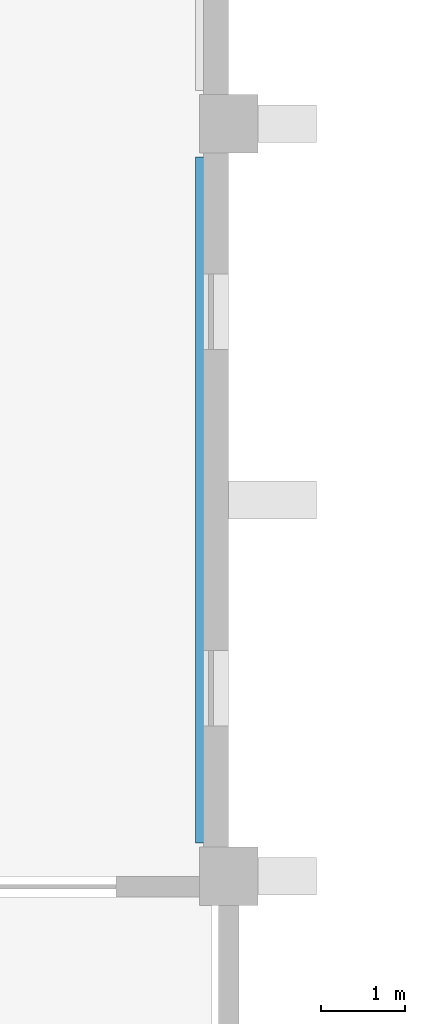
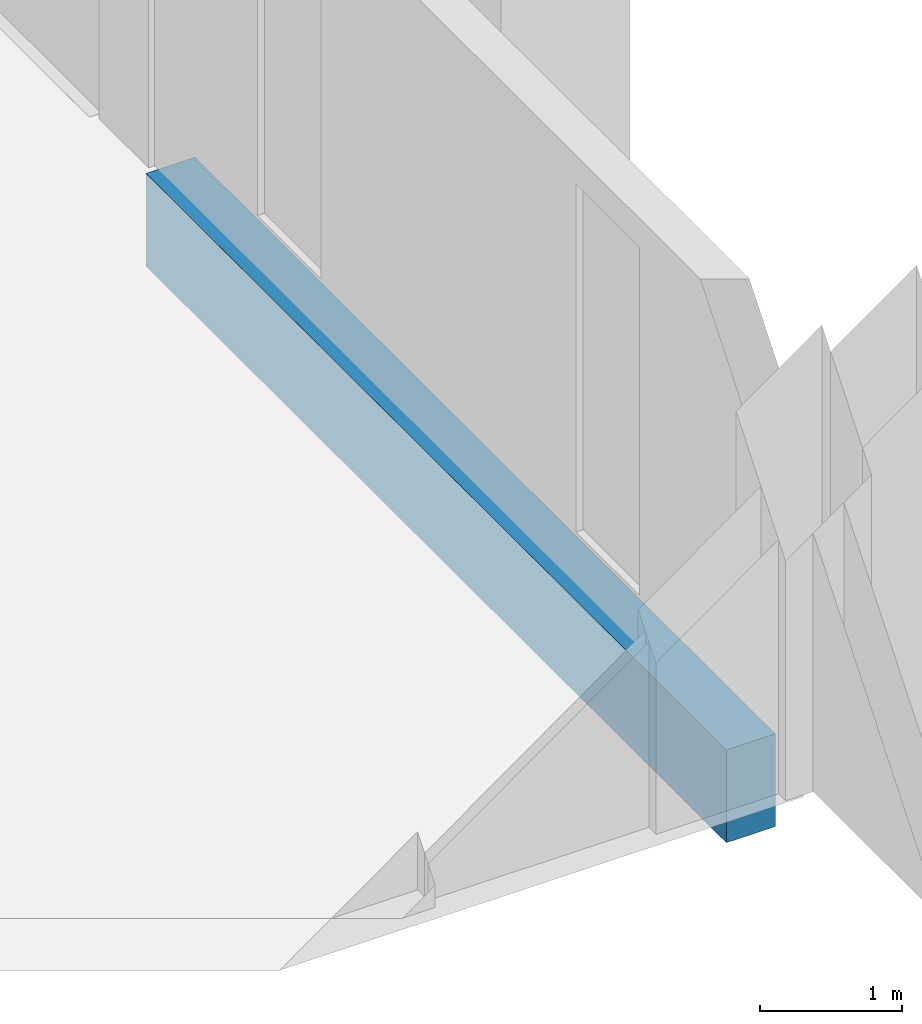
# One storey, part 7 of 45: 1 beam.
"""IFC4 building model written with IfcOpenShell, lengths in metres."""

import ifcopenshell
import ifcopenshell.guid

model = None  # the IFC model being written
_history = None  # IfcOwnerHistory: only IFC2X3 demands one
_inside = {}  # id of a spatial element -> (the spatial element, [elements in it])
_under = {}  # id of a project, library or spatial element -> (it, [spatial elements below it])
_declared = {}  # id of a project -> (the project, [libraries it declares])
_typed = {}  # id of a type object -> (the type object, [elements of that type])
_made_of = {}  # id of a material, layer set ... -> (it, [elements and type objects made of it])


def new_model(schema):
    """Start an empty IFC model of exactly this schema.

    Asked for "IFC4X3", IfcOpenShell would pick the latest addendum, in which some entities
    have other attributes; the version numbers below select the first issue.
    IFC2X3 requires an IfcOwnerHistory on every rooted entity: one is made here for all.
    """
    global model, _history
    if schema == "IFC4X3":
        model = ifcopenshell.file(schema_version=(4, 3, 0, 0))
    else:
        model = ifcopenshell.file(schema=schema)
    _inside.clear()
    _under.clear()
    _declared.clear()
    _typed.clear()
    _made_of.clear()
    _history = None
    if model.schema == "IFC2X3":
        org = make("IfcOrganization", Name="unknown")
        user = make(
            "IfcPersonAndOrganization",
            ThePerson=make("IfcPerson", FamilyName="unknown"),
            TheOrganization=org,
        )
        app = make(
            "IfcApplication",
            ApplicationDeveloper=org,
            Version="unknown",
            ApplicationFullName="unknown",
            ApplicationIdentifier="unknown",
        )
        _history = make(
            "IfcOwnerHistory",
            OwningUser=user,
            OwningApplication=app,
            ChangeAction="ADDED",
            CreationDate=0,
        )
    return model


def make(cls, **values):
    """One entity of the class cls with the attributes given. An attribute that is None is left unset."""
    return model.create_entity(
        cls, **{name: value for name, value in values.items() if value is not None}
    )


def rooted(cls, **values):
    """An entity with a GlobalId (a new one), such as an element, a storey or a relation."""
    return make(cls, GlobalId=ifcopenshell.guid.new(), OwnerHistory=_history, **values)


def si_unit(unit_type, name, prefix=None):
    """IfcSIUnit, for example si_unit("LENGTHUNIT", "METRE", prefix="MILLI")."""
    return make("IfcSIUnit", UnitType=unit_type, Prefix=prefix, Name=name)


def assignment(units):
    """IfcUnitAssignment: the units of a project."""
    return None if units is None else make("IfcUnitAssignment", Units=units)


def point(xyz):
    """IfcCartesianPoint."""
    return None if xyz is None else make("IfcCartesianPoint", Coordinates=xyz)


def direction(xyz):
    """IfcDirection."""
    return None if xyz is None else make("IfcDirection", DirectionRatios=xyz)


def frame(location, z_axis=None, x_axis=None):
    """IfcAxis2Placement3D, a coordinate frame: its origin and axes. An axis left out is left unset."""
    return make(
        "IfcAxis2Placement3D",
        Location=point(location),
        Axis=direction(z_axis),
        RefDirection=direction(x_axis),
    )


def frame_2d(location, x_axis=None):
    """IfcAxis2Placement2D, a coordinate frame in the plane: its origin and x axis."""
    return make(
        "IfcAxis2Placement2D", Location=point(location), RefDirection=direction(x_axis)
    )


def origin():
    """The frame at (0, 0, 0) with its axes left unset."""
    return frame((0.0, 0.0, 0.0))


def origin_2d():
    """The frame at (0, 0) in the plane with its x axis left unset."""
    return frame_2d((0.0, 0.0))


def place(relative_to, where):
    """IfcLocalPlacement: puts the frame where relative to a parent placement (None: the world)."""
    return make(
        "IfcLocalPlacement", PlacementRelTo=relative_to, RelativePlacement=where
    )


def context(
    kind, dimensions, precision=None, world=None, true_north=None, identifier=None
):
    """IfcGeometricRepresentationContext, for example the 3D "Model" context."""
    return make(
        "IfcGeometricRepresentationContext",
        ContextIdentifier=identifier,
        ContextType=kind,
        CoordinateSpaceDimension=dimensions,
        Precision=precision,
        WorldCoordinateSystem=world,
        TrueNorth=true_north,
    )


def subcontext(parent, identifier, kind, view, scale=None):
    """IfcGeometricRepresentationSubContext, for example "Body" below "Model"."""
    return make(
        "IfcGeometricRepresentationSubContext",
        ContextIdentifier=identifier,
        ContextType=kind,
        ParentContext=parent,
        TargetScale=scale,
        TargetView=view,
    )


def project(units=None, contexts=None):
    """IfcProject with its units and contexts."""
    return rooted(
        "IfcProject",
        Name="project",
        RepresentationContexts=contexts,
        UnitsInContext=assignment(units),
    )


def spatial(cls, under=None, at=None, **own):
    """A site, building, storey or space (cls), placed at a placement, below another one or the project."""
    s = rooted(cls, ObjectPlacement=at, **own)
    if under is not None:
        _under.setdefault(under.id(), (under, []))[1].append(s)
    return s


def profile(cls, at=None, kind="AREA", **sizes):
    """A parametric profile (cls). Its sizes go by their IFC names, for example OverallWidth=200.0."""
    return make(cls, ProfileType=kind, Position=at, **sizes)


def rectangle(**sizes):
    """IfcRectangleProfileDef."""
    return profile("IfcRectangleProfileDef", **sizes)


def extrude(swept, where, along, depth):
    """IfcExtrudedAreaSolid: the profile swept, set in the frame where, extruded along a direction by depth."""
    return make(
        "IfcExtrudedAreaSolid",
        SweptArea=swept,
        Position=where,
        ExtrudedDirection=direction(along),
        Depth=depth,
    )


def shape(context_of_items, identifier, shape_type, items):
    """IfcShapeRepresentation: the items that make up one representation, for example the "Body"."""
    return make(
        "IfcShapeRepresentation",
        ContextOfItems=context_of_items,
        RepresentationIdentifier=identifier,
        RepresentationType=shape_type,
        Items=items,
    )


def material(Name=None, Category=None):
    """IfcMaterial."""
    return make("IfcMaterial", Name=Name, Category=Category)


def material_profile(
    of_material, cross_section, Name=None, Category=None, Priority=None
):
    """IfcMaterialProfile: a cross section and its material."""
    return make(
        "IfcMaterialProfile",
        Name=Name,
        Material=of_material,
        Profile=cross_section,
        Priority=Priority,
        Category=Category,
    )


def profile_set(profiles, Name=None, composite=None):
    """IfcMaterialProfileSet."""
    return make(
        "IfcMaterialProfileSet",
        Name=Name,
        MaterialProfiles=profiles,
        CompositeProfile=composite,
    )


def made_of(thing, what):
    """Note that an element or type object is made of a material, layer set ...; save() writes the relation."""
    if what is not None:
        _made_of.setdefault(what.id(), (what, []))[1].append(thing)
    return thing


def type_object(cls, material=None, **own):
    """A type object (cls), such as IfcWallType, which elements share."""
    return made_of(rooted(cls, **own), material)


def element(
    cls,
    number,
    at=None,
    inside=None,
    cuts=None,
    type_object=None,
    material=None,
    context=None,
    identifier="Body",
    shape_type=None,
    held_by="IfcProductDefinitionShape",
    body=None,
    shapes=None,
    **own,
):
    """One element of the class cls, such as IfcWall. Its Tag is "e" and its number.

    at: its placement. inside: the storey or other place that contains it. cuts: it is an
    opening in that element (IfcRelVoidsElement). A single representation is given by context,
    identifier, shape_type and body (its items); several are given by shapes. held_by: the class
    of the entity that holds the representations. save() writes the other relations.
    """
    e = rooted(cls, Tag="e%d" % number, ObjectPlacement=at, **own)
    if body is not None:
        shapes = [shape(context, identifier, shape_type, body)]
    if shapes is not None:
        e.Representation = make(held_by, Representations=shapes)
    if inside is not None:
        _inside.setdefault(inside.id(), (inside, []))[1].append(e)
    if cuts is not None:
        rooted(
            "IfcRelVoidsElement", RelatingBuildingElement=cuts, RelatedOpeningElement=e
        )
    if type_object is not None:
        _typed.setdefault(type_object.id(), (type_object, []))[1].append(e)
    return made_of(e, material)


def aggregate(whole, parts):
    """IfcRelAggregates: a whole, such as a stair, and the parts it consists of."""
    return rooted("IfcRelAggregates", RelatingObject=whole, RelatedObjects=parts)


def save(model, path):
    """Write the relations noted so far, then the file.

    IfcRelAggregates (storeys below a building ...), IfcRelContainedInSpatialStructure (elements
    in a storey), IfcRelDefinesByType, IfcRelAssociatesMaterial and IfcRelDeclares: one each for
    every whole, place, type object, material and project.
    """
    for whole, parts in _under.values():
        aggregate(whole, parts)
    for where, things in _inside.values():
        rooted(
            "IfcRelContainedInSpatialStructure",
            RelatedElements=things,
            RelatingStructure=where,
        )
    for kind, things in _typed.values():
        rooted("IfcRelDefinesByType", RelatedObjects=things, RelatingType=kind)
    for what, things in _made_of.values():
        rooted("IfcRelAssociatesMaterial", RelatedObjects=things, RelatingMaterial=what)
    for by, libraries in _declared.values():
        rooted("IfcRelDeclares", RelatingContext=by, RelatedDefinitions=libraries)
    model.write(path)


model = new_model("IFC4")

# Units and contexts
model_context = context("Model", 3, precision=1e-05, world=origin(), true_north=direction((0.0, 1.0)))
body_context = subcontext(model_context, "Body", "Model", "MODEL_VIEW")
ifc_project = project(units=[si_unit("LENGTHUNIT", "METRE"), si_unit("AREAUNIT", "SQUARE_METRE"), si_unit("VOLUMEUNIT", "CUBIC_METRE"), si_unit("PLANEANGLEUNIT", "RADIAN"), si_unit("MASSUNIT", "GRAM", prefix="KILO")], contexts=[model_context])

# Site, building, storey
site_placement = place(None, origin())
site = spatial("IfcSite", under=ifc_project, at=site_placement, CompositionType="ELEMENT")
building_placement = place(site_placement, origin())
building = spatial("IfcBuilding", under=site, at=building_placement, Name="Guidao Yard Department Store", CompositionType="ELEMENT")
storey_placement = place(building_placement, frame((0.0, 0.0, 19.5)))
storey = spatial("IfcBuildingStorey", under=building, at=storey_placement, Name="L04", CompositionType="ELEMENT", Elevation=19.5)

# Beam
ifc_material = material(Name="Concrete C40", Category="concrete")
ifc_material_profile = material_profile(ifc_material, rectangle(XDim=0.39990234375, YDim=0.800048828125, at=origin_2d()), Name="Spandrel beam 400 x 800 C40")
ifc_profile_set = profile_set([ifc_material_profile], Name="Concrete C40")
beam_type = type_object("IfcBeamType", Name="Spandrel beam 400 x 800 C40", PredefinedType="SPANDREL", material=ifc_profile_set)
beam_placement = place(storey_placement, frame((62.800048828125, 54.39990234375, -0.39990234375), z_axis=(0.0, 1.0, 0.0), x_axis=(-1.0, 0.0, 0.0)))
element("IfcBeam", 1, at=beam_placement, inside=storey, type_object=beam_type, Name="Beam EB14", PredefinedType="SPANDREL", context=body_context, shape_type="SweptSolid", body=[
    extrude(rectangle(XDim=0.39990234375, YDim=0.800048828125, at=origin_2d()), origin(), (0.0, 0.0, 1.0), 8.2001953125),
])

save(model, "model.ifc")
